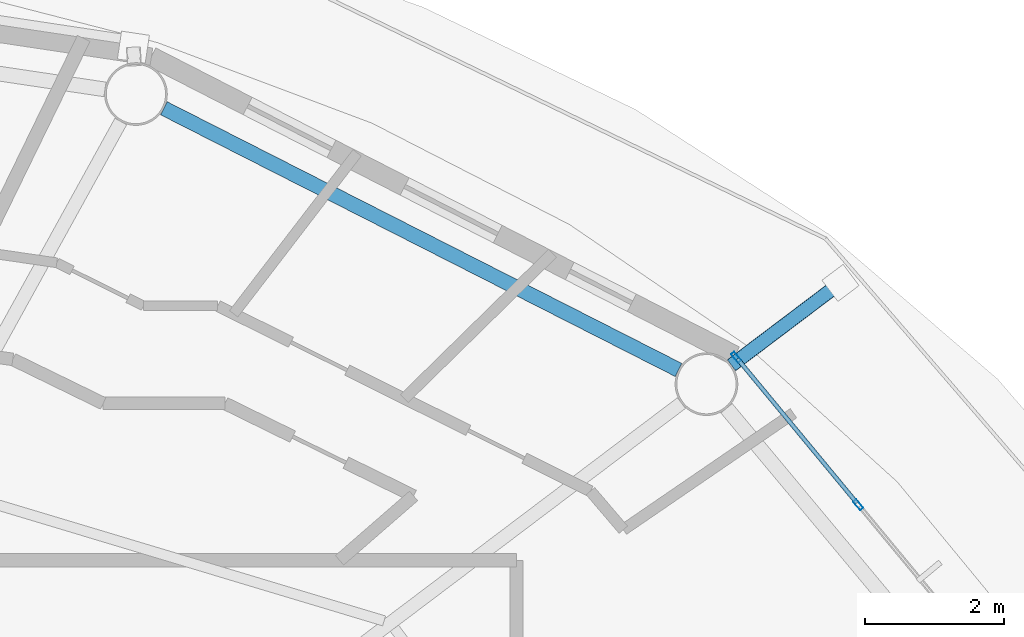
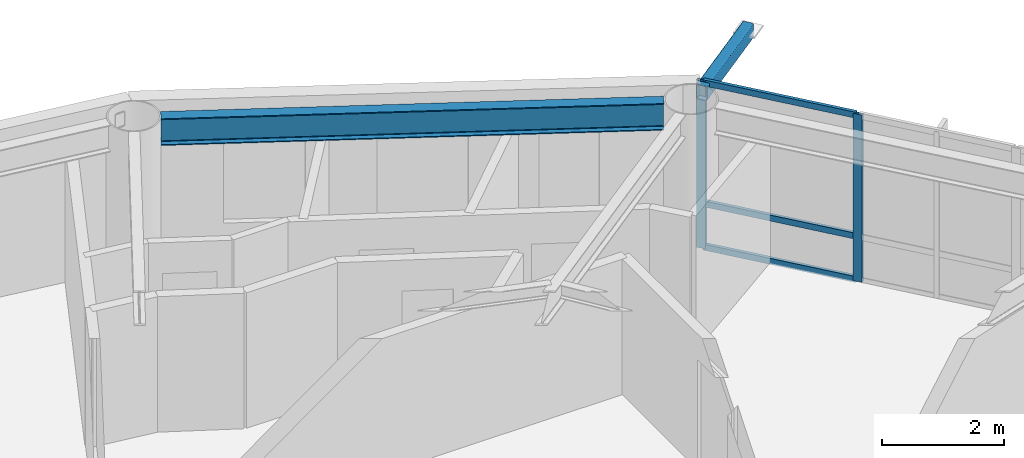
# One storey, part 11 of 23: 6 members, 1 beam, 1 element without a shape of its own.
"""IFC4 building model written with IfcOpenShell, lengths in metres."""

import ifcopenshell
import ifcopenshell.guid

model = None  # the IFC model being written
_history = None  # IfcOwnerHistory: only IFC2X3 demands one
_inside = {}  # id of a spatial element -> (the spatial element, [elements in it])
_under = {}  # id of a project, library or spatial element -> (it, [spatial elements below it])
_declared = {}  # id of a project -> (the project, [libraries it declares])
_typed = {}  # id of a type object -> (the type object, [elements of that type])
_made_of = {}  # id of a material, layer set ... -> (it, [elements and type objects made of it])


def new_model(schema):
    """Start an empty IFC model of exactly this schema.

    Asked for "IFC4X3", IfcOpenShell would pick the latest addendum, in which some entities
    have other attributes; the version numbers below select the first issue.
    IFC2X3 requires an IfcOwnerHistory on every rooted entity: one is made here for all.
    """
    global model, _history
    if schema == "IFC4X3":
        model = ifcopenshell.file(schema_version=(4, 3, 0, 0))
    else:
        model = ifcopenshell.file(schema=schema)
    _inside.clear()
    _under.clear()
    _declared.clear()
    _typed.clear()
    _made_of.clear()
    _history = None
    if model.schema == "IFC2X3":
        org = make("IfcOrganization", Name="unknown")
        user = make(
            "IfcPersonAndOrganization",
            ThePerson=make("IfcPerson", FamilyName="unknown"),
            TheOrganization=org,
        )
        app = make(
            "IfcApplication",
            ApplicationDeveloper=org,
            Version="unknown",
            ApplicationFullName="unknown",
            ApplicationIdentifier="unknown",
        )
        _history = make(
            "IfcOwnerHistory",
            OwningUser=user,
            OwningApplication=app,
            ChangeAction="ADDED",
            CreationDate=0,
        )
    return model


def make(cls, **values):
    """One entity of the class cls with the attributes given. An attribute that is None is left unset."""
    return model.create_entity(
        cls, **{name: value for name, value in values.items() if value is not None}
    )


def rooted(cls, **values):
    """An entity with a GlobalId (a new one), such as an element, a storey or a relation."""
    return make(cls, GlobalId=ifcopenshell.guid.new(), OwnerHistory=_history, **values)


def si_unit(unit_type, name, prefix=None):
    """IfcSIUnit, for example si_unit("LENGTHUNIT", "METRE", prefix="MILLI")."""
    return make("IfcSIUnit", UnitType=unit_type, Prefix=prefix, Name=name)


def assignment(units):
    """IfcUnitAssignment: the units of a project."""
    return None if units is None else make("IfcUnitAssignment", Units=units)


def point(xyz):
    """IfcCartesianPoint."""
    return None if xyz is None else make("IfcCartesianPoint", Coordinates=xyz)


def direction(xyz):
    """IfcDirection."""
    return None if xyz is None else make("IfcDirection", DirectionRatios=xyz)


def frame(location, z_axis=None, x_axis=None):
    """IfcAxis2Placement3D, a coordinate frame: its origin and axes. An axis left out is left unset."""
    return make(
        "IfcAxis2Placement3D",
        Location=point(location),
        Axis=direction(z_axis),
        RefDirection=direction(x_axis),
    )


def frame_2d(location, x_axis=None):
    """IfcAxis2Placement2D, a coordinate frame in the plane: its origin and x axis."""
    return make(
        "IfcAxis2Placement2D", Location=point(location), RefDirection=direction(x_axis)
    )


def origin():
    """The frame at (0, 0, 0) with its axes left unset."""
    return frame((0.0, 0.0, 0.0))


def origin_2d():
    """The frame at (0, 0) in the plane with its x axis left unset."""
    return frame_2d((0.0, 0.0))


def place(relative_to, where):
    """IfcLocalPlacement: puts the frame where relative to a parent placement (None: the world)."""
    return make(
        "IfcLocalPlacement", PlacementRelTo=relative_to, RelativePlacement=where
    )


def context(
    kind, dimensions, precision=None, world=None, true_north=None, identifier=None
):
    """IfcGeometricRepresentationContext, for example the 3D "Model" context."""
    return make(
        "IfcGeometricRepresentationContext",
        ContextIdentifier=identifier,
        ContextType=kind,
        CoordinateSpaceDimension=dimensions,
        Precision=precision,
        WorldCoordinateSystem=world,
        TrueNorth=true_north,
    )


def subcontext(parent, identifier, kind, view, scale=None):
    """IfcGeometricRepresentationSubContext, for example "Body" below "Model"."""
    return make(
        "IfcGeometricRepresentationSubContext",
        ContextIdentifier=identifier,
        ContextType=kind,
        ParentContext=parent,
        TargetScale=scale,
        TargetView=view,
    )


def project(units=None, contexts=None):
    """IfcProject with its units and contexts."""
    return rooted(
        "IfcProject",
        Name="project",
        RepresentationContexts=contexts,
        UnitsInContext=assignment(units),
    )


def spatial(cls, under=None, at=None, **own):
    """A site, building, storey or space (cls), placed at a placement, below another one or the project."""
    s = rooted(cls, ObjectPlacement=at, **own)
    if under is not None:
        _under.setdefault(under.id(), (under, []))[1].append(s)
    return s


def profile(cls, at=None, kind="AREA", **sizes):
    """A parametric profile (cls). Its sizes go by their IFC names, for example OverallWidth=200.0."""
    return make(cls, ProfileType=kind, Position=at, **sizes)


def hollow_rectangle(**sizes):
    """IfcRectangleHollowProfileDef."""
    return profile("IfcRectangleHollowProfileDef", **sizes)


def i_section(**sizes):
    """IfcIShapeProfileDef."""
    return profile("IfcIShapeProfileDef", **sizes)


def extrude(swept, where, along, depth):
    """IfcExtrudedAreaSolid: the profile swept, set in the frame where, extruded along a direction by depth."""
    return make(
        "IfcExtrudedAreaSolid",
        SweptArea=swept,
        Position=where,
        ExtrudedDirection=direction(along),
        Depth=depth,
    )


def shape(context_of_items, identifier, shape_type, items):
    """IfcShapeRepresentation: the items that make up one representation, for example the "Body"."""
    return make(
        "IfcShapeRepresentation",
        ContextOfItems=context_of_items,
        RepresentationIdentifier=identifier,
        RepresentationType=shape_type,
        Items=items,
    )


def material(Name=None, Category=None):
    """IfcMaterial."""
    return make("IfcMaterial", Name=Name, Category=Category)


def layer(
    of_material, thickness, ventilated=None, Name=None, Category=None, Priority=None
):
    """IfcMaterialLayer: one layer of a wall or slab, of a material (None: an air gap)."""
    return make(
        "IfcMaterialLayer",
        Material=of_material,
        LayerThickness=thickness,
        IsVentilated=ventilated,
        Name=Name,
        Category=Category,
        Priority=Priority,
    )


def layer_set(layers, Name=None):
    """IfcMaterialLayerSet."""
    return make("IfcMaterialLayerSet", MaterialLayers=layers, LayerSetName=Name)


def material_profile(
    of_material, cross_section, Name=None, Category=None, Priority=None
):
    """IfcMaterialProfile: a cross section and its material."""
    return make(
        "IfcMaterialProfile",
        Name=Name,
        Material=of_material,
        Profile=cross_section,
        Priority=Priority,
        Category=Category,
    )


def profile_set(profiles, Name=None, composite=None):
    """IfcMaterialProfileSet."""
    return make(
        "IfcMaterialProfileSet",
        Name=Name,
        MaterialProfiles=profiles,
        CompositeProfile=composite,
    )


def made_of(thing, what):
    """Note that an element or type object is made of a material, layer set ...; save() writes the relation."""
    if what is not None:
        _made_of.setdefault(what.id(), (what, []))[1].append(thing)
    return thing


def type_object(cls, material=None, **own):
    """A type object (cls), such as IfcWallType, which elements share."""
    return made_of(rooted(cls, **own), material)


def element(
    cls,
    number,
    at=None,
    inside=None,
    cuts=None,
    type_object=None,
    material=None,
    context=None,
    identifier="Body",
    shape_type=None,
    held_by="IfcProductDefinitionShape",
    body=None,
    shapes=None,
    **own,
):
    """One element of the class cls, such as IfcWall. Its Tag is "e" and its number.

    at: its placement. inside: the storey or other place that contains it. cuts: it is an
    opening in that element (IfcRelVoidsElement). A single representation is given by context,
    identifier, shape_type and body (its items); several are given by shapes. held_by: the class
    of the entity that holds the representations. save() writes the other relations.
    """
    e = rooted(cls, Tag="e%d" % number, ObjectPlacement=at, **own)
    if body is not None:
        shapes = [shape(context, identifier, shape_type, body)]
    if shapes is not None:
        e.Representation = make(held_by, Representations=shapes)
    if inside is not None:
        _inside.setdefault(inside.id(), (inside, []))[1].append(e)
    if cuts is not None:
        rooted(
            "IfcRelVoidsElement", RelatingBuildingElement=cuts, RelatedOpeningElement=e
        )
    if type_object is not None:
        _typed.setdefault(type_object.id(), (type_object, []))[1].append(e)
    return made_of(e, material)


def aggregate(whole, parts):
    """IfcRelAggregates: a whole, such as a stair, and the parts it consists of."""
    return rooted("IfcRelAggregates", RelatingObject=whole, RelatedObjects=parts)


def save(model, path):
    """Write the relations noted so far, then the file.

    IfcRelAggregates (storeys below a building ...), IfcRelContainedInSpatialStructure (elements
    in a storey), IfcRelDefinesByType, IfcRelAssociatesMaterial and IfcRelDeclares: one each for
    every whole, place, type object, material and project.
    """
    for whole, parts in _under.values():
        aggregate(whole, parts)
    for where, things in _inside.values():
        rooted(
            "IfcRelContainedInSpatialStructure",
            RelatedElements=things,
            RelatingStructure=where,
        )
    for kind, things in _typed.values():
        rooted("IfcRelDefinesByType", RelatedObjects=things, RelatingType=kind)
    for what, things in _made_of.values():
        rooted("IfcRelAssociatesMaterial", RelatedObjects=things, RelatingMaterial=what)
    for by, libraries in _declared.values():
        rooted("IfcRelDeclares", RelatingContext=by, RelatedDefinitions=libraries)
    model.write(path)


model = new_model("IFC4")

# Units and contexts
model_context = context("Model", 3, precision=1e-05, world=origin(), true_north=direction((0.0, 1.0)))
body_context = subcontext(model_context, "Body", "Model", "MODEL_VIEW")
ifc_project = project(units=[si_unit("LENGTHUNIT", "METRE"), si_unit("AREAUNIT", "SQUARE_METRE"), si_unit("VOLUMEUNIT", "CUBIC_METRE"), si_unit("PLANEANGLEUNIT", "RADIAN"), si_unit("MASSUNIT", "GRAM", prefix="KILO")], contexts=[model_context])

# Site, building, storey
site_placement = place(None, origin())
site = spatial("IfcSite", under=ifc_project, at=site_placement, CompositionType="ELEMENT")
building_placement = place(site_placement, origin())
building = spatial("IfcBuilding", under=site, at=building_placement, Name="Sarneth Arch Tower", CompositionType="ELEMENT")
storey_placement = place(building_placement, frame((0.0, 0.0, 217.199951171875)))
storey = spatial("IfcBuildingStorey", under=building, at=storey_placement, Name="L55", CompositionType="ELEMENT", Elevation=217.199951171875)

# Beam
ifc_material_1 = material(Name="Steel S355", Category="steel")
ifc_material_profile_1 = material_profile(ifc_material_1, i_section(OverallWidth=0.2109375, OverallDepth=0.5390625, WebThickness=0.01171875, FlangeThickness=0.018798828125, FilletRadius=0.01806640625, at=origin_2d()), Name="W530x109")
ifc_profile_set_1 = profile_set([ifc_material_profile_1], Name="Steel S355")
beam_type = type_object("IfcBeamType", Name="BM-RAD-530B", PredefinedType="BEAM", material=ifc_profile_set_1)
beam_placement = place(storey_placement, frame((65.57421875, 55.780517578125, 3.090576171875), z_axis=(-0.891376248079, 0.453264144138, 0.0), x_axis=(-0.453264144138, -0.891376248079, 0.0)))
element("IfcBeam", 1, at=beam_placement, inside=storey, type_object=beam_type, Name="L55 Perimeter spandrel beam 03", PredefinedType="BEAM", context=body_context, shape_type="SweptSolid", body=[
    extrude(i_section(OverallWidth=0.2109375, OverallDepth=0.5390625, WebThickness=0.01171875, FlangeThickness=0.018798828125, FilletRadius=0.01806640625, at=origin_2d()), origin(), (0.0, 0.0, 1.0), 8.281982421875),
])

# Curtain wall, members
ifc_material_2 = material(Name="Anodised aluminium Type AA25 and solar-control low-e laminated IGU", Category="aluminium")
ifc_layer = layer(ifc_material_2, 0.179931640625)
ifc_layer_set = layer_set([ifc_layer], Name="Anodised aluminium Type AA25 and solar-control low-e laminated IGU")
curtain_wall_type = type_object("IfcCurtainWallType", Name="CW-RES-HIGH", PredefinedType="NOTDEFINED", material=ifc_layer_set)
curtain_wall_placement = place(storey_placement, origin())
curtain_wall = element("IfcCurtainWall", 2, at=curtain_wall_placement, inside=storey, type_object=curtain_wall_type, Name="L55 Unitised curtain wall facet 02", PredefinedType="NOTDEFINED")
ifc_material_3 = material(Name="Anodised Aluminium 6063-T6", Category="aluminium")
ifc_material_profile_2 = material_profile(ifc_material_3, hollow_rectangle(XDim=0.06005859375, YDim=0.159912109375, WallThickness=0.00390625, at=origin_2d()), Name="AL-MULL-160x60x4")
ifc_profile_set_2 = profile_set([ifc_material_profile_2], Name="Anodised Aluminium 6063-T6")
member_type_1 = type_object("IfcMemberType", Name="CW-MULLION", PredefinedType="MULLION", material=ifc_profile_set_2)
member_1_placement = place(storey_placement, frame((68.15283203125, 53.84765625, 0.0), z_axis=(0.0, 0.0, 1.0), x_axis=(-0.770359245933, -0.637610094184, 0.0)))
member_1 = element("IfcMember", 3, at=member_1_placement, type_object=member_type_1, Name="CW-SYS-6 mullion 3", PredefinedType="MULLION", context=body_context, shape_type="SweptSolid", body=[
    extrude(hollow_rectangle(XDim=0.06005859375, YDim=0.159912109375, WallThickness=0.00390625, at=origin_2d()), origin(), (0.0, 0.0, 1.0), 3.360107421875),
])
member_2_placement = place(storey_placement, frame((66.401611328125, 55.96337890625, 0.0), z_axis=(0.0, 0.0, 1.0), x_axis=(-0.770359245933, -0.637610094184, 0.0)))
member_2 = element("IfcMember", 4, at=member_2_placement, type_object=member_type_1, Name="CW-SYS-6 mullion 4", PredefinedType="MULLION", context=body_context, shape_type="SweptSolid", body=[
    extrude(hollow_rectangle(XDim=0.06005859375, YDim=0.159912109375, WallThickness=0.00390625, at=origin_2d()), origin(), (0.0, 0.0, 1.0), 3.360107421875),
])
ifc_material_4 = material(Name="Anodised Aluminium 6063-T6", Category="aluminium")
ifc_material_profile_3 = material_profile(ifc_material_4, hollow_rectangle(XDim=0.06005859375, YDim=0.1201171875, WallThickness=0.00390625, at=origin_2d()), Name="AL-TRAN-120x60x4")
ifc_profile_set_3 = profile_set([ifc_material_profile_3], Name="Anodised Aluminium 6063-T6")
member_type_2 = type_object("IfcMemberType", Name="CW-TRANSOM", PredefinedType="USERDEFINED", material=ifc_profile_set_3)
member_3_placement = place(storey_placement, frame((68.1337890625, 53.87060546875, 0.030029296875), z_axis=(-0.637606765719, 0.770362000821, 0.0), x_axis=(-0.770362000821, -0.637606765719, 0.0)))
member_3 = element("IfcMember", 5, at=member_3_placement, type_object=member_type_2, Name="CW-SYS-6 transom 3.1", ObjectType="TRANSOM", PredefinedType="USERDEFINED", context=body_context, shape_type="SweptSolid", body=[
    extrude(hollow_rectangle(XDim=0.06005859375, YDim=0.1201171875, WallThickness=0.00390625, at=origin_2d()), origin(), (0.0, 0.0, 1.0), 2.686767578125),
])
member_4_placement = place(storey_placement, frame((68.1337890625, 53.87060546875, 0.900146484375), z_axis=(-0.637606765719, 0.770362000821, 0.0), x_axis=(-0.770362000821, -0.637606765719, 0.0)))
member_4 = element("IfcMember", 6, at=member_4_placement, type_object=member_type_2, Name="CW-SYS-6 transom 3.2", ObjectType="TRANSOM", PredefinedType="USERDEFINED", context=body_context, shape_type="SweptSolid", body=[
    extrude(hollow_rectangle(XDim=0.06005859375, YDim=0.1201171875, WallThickness=0.00390625, at=origin_2d()), origin(), (0.0, 0.0, 1.0), 2.686767578125),
])
member_5_placement = place(storey_placement, frame((68.1337890625, 53.87060546875, 3.330078125), z_axis=(-0.637606765719, 0.770362000821, 0.0), x_axis=(-0.770362000821, -0.637606765719, 0.0)))
member_5 = element("IfcMember", 7, at=member_5_placement, type_object=member_type_2, Name="CW-SYS-6 transom 3.3", ObjectType="TRANSOM", PredefinedType="USERDEFINED", context=body_context, shape_type="SweptSolid", body=[
    extrude(hollow_rectangle(XDim=0.06005859375, YDim=0.1201171875, WallThickness=0.00390625, at=origin_2d()), origin(), (0.0, 0.0, 1.0), 2.686767578125),
])
aggregate(curtain_wall, [member_1, member_2, member_3, member_4, member_5])

# Member
ifc_material_5 = material(Name="Steel S355", Category="steel")
ifc_material_profile_4 = material_profile(ifc_material_5, hollow_rectangle(XDim=0.199951171875, YDim=0.300048828125, WallThickness=0.012451171875, InnerFilletRadius=0.018798828125, OuterFilletRadius=0.03125, at=origin_2d()), Name="RHS300x200x12.5")
ifc_profile_set_4 = profile_set([ifc_material_profile_4], Name="Steel S355")
member_type_3 = type_object("IfcMemberType", Name="MEM-CANT-STRUT", PredefinedType="STRUT", material=ifc_profile_set_4)
member_6_placement = place(storey_placement, frame((66.334228515625, 55.84765625, 3.199951171875), z_axis=(0.797932555739, 0.602746743244, 0.0), x_axis=(-0.602746743244, 0.797932555739, 0.0)))
element("IfcMember", 8, at=member_6_placement, inside=storey, type_object=member_type_3, Name="L55 Balcony cantilever bracket 03", PredefinedType="STRUT", context=body_context, shape_type="SweptSolid", body=[
    extrude(hollow_rectangle(XDim=0.199951171875, YDim=0.300048828125, WallThickness=0.012451171875, InnerFilletRadius=0.018798828125, OuterFilletRadius=0.03125, at=origin_2d()), origin(), (0.0, 0.0, 1.0), 1.9599609375),
])

save(model, "model.ifc")
